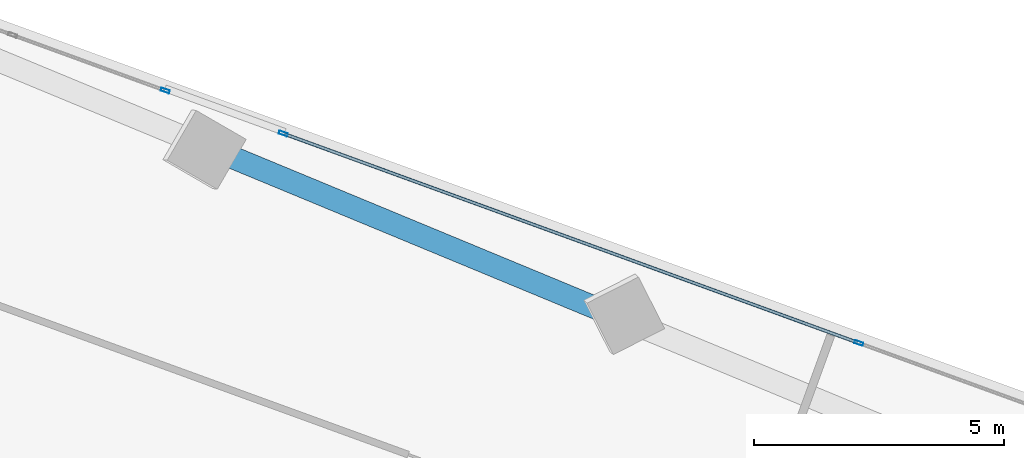
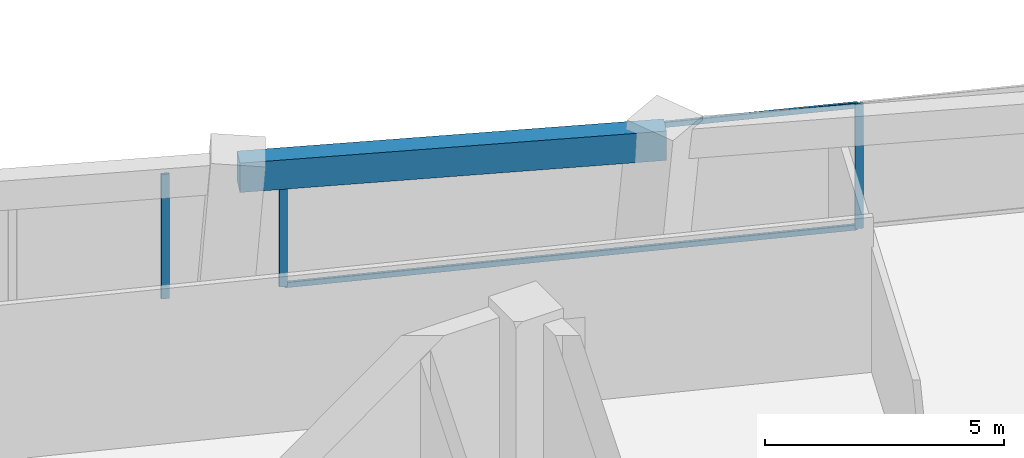
# One storey, part 14 of 21: 5 members, 1 beam, 2 elements without a shape of their own.
"""IFC4 building model written with IfcOpenShell, lengths in metres."""

from ifc_helpers import new_model, si_unit, direction, frame, origin, origin_2d, place, context, subcontext, project, spatial, rectangle, hollow_rectangle, extrude, source, transform, mapped, material, material_profile, profile_set, type_object, element, aggregate, save


model = new_model("IFC4")

# Units and contexts
model_context = context("Model", 3, precision=1e-05, world=origin(), true_north=direction((0.0, 1.0)))
body_context = subcontext(model_context, "Body", "Model", "MODEL_VIEW")
ifc_project = project(units=[si_unit("LENGTHUNIT", "METRE"), si_unit("AREAUNIT", "SQUARE_METRE"), si_unit("VOLUMEUNIT", "CUBIC_METRE"), si_unit("PLANEANGLEUNIT", "RADIAN"), si_unit("MASSUNIT", "GRAM", prefix="KILO")], contexts=[model_context])

# Site, building, storey
site_placement = place(None, origin())
site = spatial("IfcSite", under=ifc_project, at=site_placement, CompositionType="ELEMENT")
building_placement = place(site_placement, origin())
building = spatial("IfcBuilding", under=site, at=building_placement, Name="Torre Montelarca", CompositionType="ELEMENT")
storey_placement = place(building_placement, frame((0.0, 0.0, 137.199951171875)))
storey = spatial("IfcBuildingStorey", under=building, at=storey_placement, Name="L30", CompositionType="ELEMENT", Elevation=137.199951171875)

# Beam
ifc_material_1 = material(Name="Concrete C55/67", Category="concrete")
ifc_material_profile_1 = material_profile(ifc_material_1, rectangle(XDim=0.449951171875, YDim=0.75, at=origin_2d()), Name="RCB450X750", Category="concrete")
ifc_profile_set_1 = profile_set([ifc_material_profile_1], Name="Concrete C55/67")
beam_type = type_object("IfcBeamType", Name="BM-SP-RC750-EXT", PredefinedType="SPANDREL", material=ifc_profile_set_1)
shared_shape_1 = source(origin(), body_context, "Body", "SweptSolid", [
    extrude(rectangle(XDim=0.449951171875, YDim=0.75, at=origin_2d()), origin(), (0.0, 0.0, 1.0), 8.999755859375),
])
beam_placement = place(storey_placement, frame((24.064208984375, 47.336181640625, 3.5849609375), z_axis=(0.923878298086, -0.382686412517, 0.0), x_axis=(0.382686412517, 0.923878298086, 0.0)))
element("IfcBeam", 1, at=beam_placement, inside=storey, type_object=beam_type, Name="L30 Grid Girder X 18.0-27.0 at Y=47.1", PredefinedType="SPANDREL", context=body_context, shape_type="MappedRepresentation", body=[
    mapped(shared_shape_1, transform((0.0, 0.0, 0.0), scale=1.0)),
])

# Curtain wall, members
ifc_material_2 = material(Name="Insulated low-E laminated glass", Category="glass")
curtain_wall_type = type_object("IfcCurtainWallType", Name="CW-SYS-Z2", PredefinedType="USERDEFINED", material=ifc_material_2)
curtain_wall_1_placement = place(storey_placement, origin())
curtain_wall_1 = element("IfcCurtainWall", 2, at=curtain_wall_1_placement, inside=storey, type_object=curtain_wall_type, Name="L30 Curtain Wall Run CW-T3-L30-E08-B1", ObjectType="UNITISED GLAZING", PredefinedType="USERDEFINED")
ifc_material_3 = material(Name="Anodised aluminium AA 6063-T6", Category="aluminium")
ifc_material_profile_2 = material_profile(ifc_material_3, hollow_rectangle(XDim=0.06494140625, YDim=0.179931640625, WallThickness=0.00390625, InnerFilletRadius=0.00390625, OuterFilletRadius=0.008056640625, at=origin_2d()), Name="ALU65X180X4", Category="aluminium")
ifc_profile_set_2 = profile_set([ifc_material_profile_2], Name="Anodised aluminium AA 6063-T6")
member_type_1 = type_object("IfcMemberType", Name="CWM-ALU180", PredefinedType="MULLION", material=ifc_profile_set_2)
shared_shape_2 = source(origin(), body_context, "Body", "SweptSolid", [
    extrude(hollow_rectangle(XDim=0.06494140625, YDim=0.179931640625, WallThickness=0.00390625, InnerFilletRadius=0.00390625, OuterFilletRadius=0.008056640625, at=origin_2d()), origin(), (0.0, 0.0, 1.0), 3.175048828125),
])
member_1_placement = place(storey_placement, frame((36.841064453125, 43.517578125, 0.0), z_axis=(0.0, 0.0, 1.0), x_axis=(-0.342016530472, -0.939693935749, 0.0)))
member_1 = element("IfcMember", 3, at=member_1_placement, type_object=member_type_1, Name="CW mullion 2", PredefinedType="MULLION", context=body_context, shape_type="MappedRepresentation", body=[
    mapped(shared_shape_2, transform((0.0, 0.0, 0.0), scale=1.0)),
])
member_2_placement = place(storey_placement, frame((25.353271484375, 47.69873046875, 0.0), z_axis=(0.0, 0.0, 1.0), x_axis=(-0.342016530472, -0.939693935749, 0.0)))
member_2 = element("IfcMember", 4, at=member_2_placement, type_object=member_type_1, Name="CW mullion 3", PredefinedType="MULLION", context=body_context, shape_type="MappedRepresentation", body=[
    mapped(shared_shape_2, transform((0.0, 0.0, 0.0), scale=1.0)),
])

# Curtain wall, member
curtain_wall_2_placement = place(storey_placement, origin())
curtain_wall_2 = element("IfcCurtainWall", 5, at=curtain_wall_2_placement, inside=storey, type_object=curtain_wall_type, Name="L30 Curtain Wall Run CW-T3-L30-E08-B2", ObjectType="UNITISED GLAZING", PredefinedType="USERDEFINED")
member_3_placement = place(storey_placement, frame((22.996826171875, 48.556396484375, 0.0), z_axis=(0.0, 0.0, 1.0), x_axis=(-0.342016471068, -0.93969395737, 0.0)))
member_3 = element("IfcMember", 6, at=member_3_placement, type_object=member_type_1, Name="CW mullion 1", PredefinedType="MULLION", context=body_context, shape_type="MappedRepresentation", body=[
    mapped(shared_shape_2, transform((0.0, 0.0, 0.0), scale=1.0)),
])
aggregate(curtain_wall_2, [member_3])

# Member
ifc_material_profile_3 = material_profile(ifc_material_3, hollow_rectangle(XDim=0.06494140625, YDim=0.139892578125, WallThickness=0.00390625, InnerFilletRadius=0.00390625, OuterFilletRadius=0.008056640625, at=origin_2d()), Name="ALU65X140X4", Category="aluminium")
ifc_profile_set_3 = profile_set([ifc_material_profile_3], Name="Anodised aluminium AA 6063-T6")
member_type_2 = type_object("IfcMemberType", Name="CWT-ALU140", PredefinedType="USERDEFINED", material=ifc_profile_set_3)
shared_shape_3 = source(origin(), body_context, "Body", "SweptSolid", [
    extrude(hollow_rectangle(XDim=0.06494140625, YDim=0.139892578125, WallThickness=0.00390625, InnerFilletRadius=0.00390625, OuterFilletRadius=0.008056640625, at=origin_2d()), origin(), (0.0, 0.0, 1.0), 12.16015625),
])
member_4_placement = place(storey_placement, frame((36.810546875, 43.52880859375, 0.032470703125), z_axis=(-0.93969431683, 0.342015483446, 0.0), x_axis=(-0.342015483446, -0.93969431683, 0.0)))
member_4 = element("IfcMember", 7, at=member_4_placement, type_object=member_type_2, Name="CW transom 2.1", ObjectType="TRANSOM", PredefinedType="USERDEFINED", context=body_context, shape_type="MappedRepresentation", body=[
    mapped(shared_shape_3, transform((0.0, 0.0, 0.0), scale=1.0)),
])

member_5_placement = place(storey_placement, frame((36.810546875, 43.52880859375, 3.142578125), z_axis=(-0.93969431683, 0.342015483446, 0.0), x_axis=(-0.342015483446, -0.93969431683, 0.0)))
member_5 = element("IfcMember", 8, at=member_5_placement, type_object=member_type_2, Name="CW transom 2.2", ObjectType="TRANSOM", PredefinedType="USERDEFINED", context=body_context, shape_type="MappedRepresentation", body=[
    mapped(shared_shape_3, transform((0.0, 0.0, 0.0), scale=1.0)),
])

aggregate(curtain_wall_1, [member_1, member_2, member_4, member_5])

save(model, "model.ifc")
